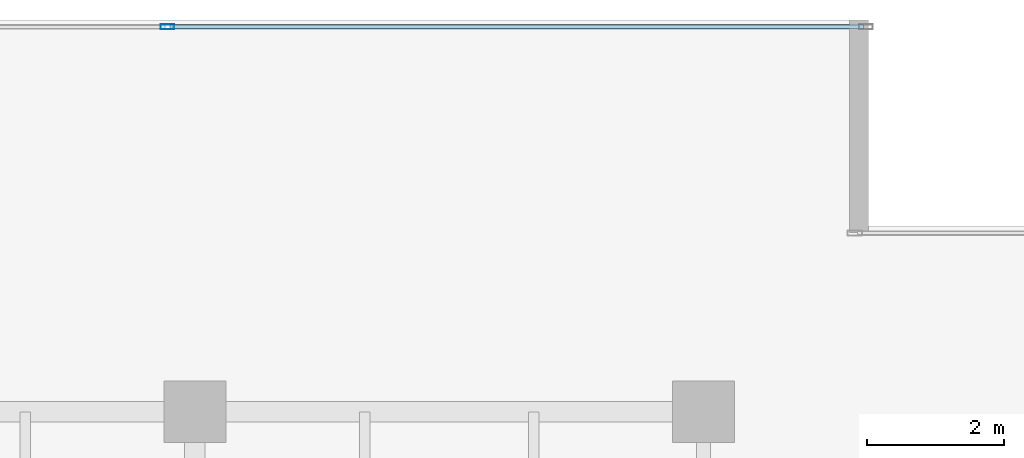
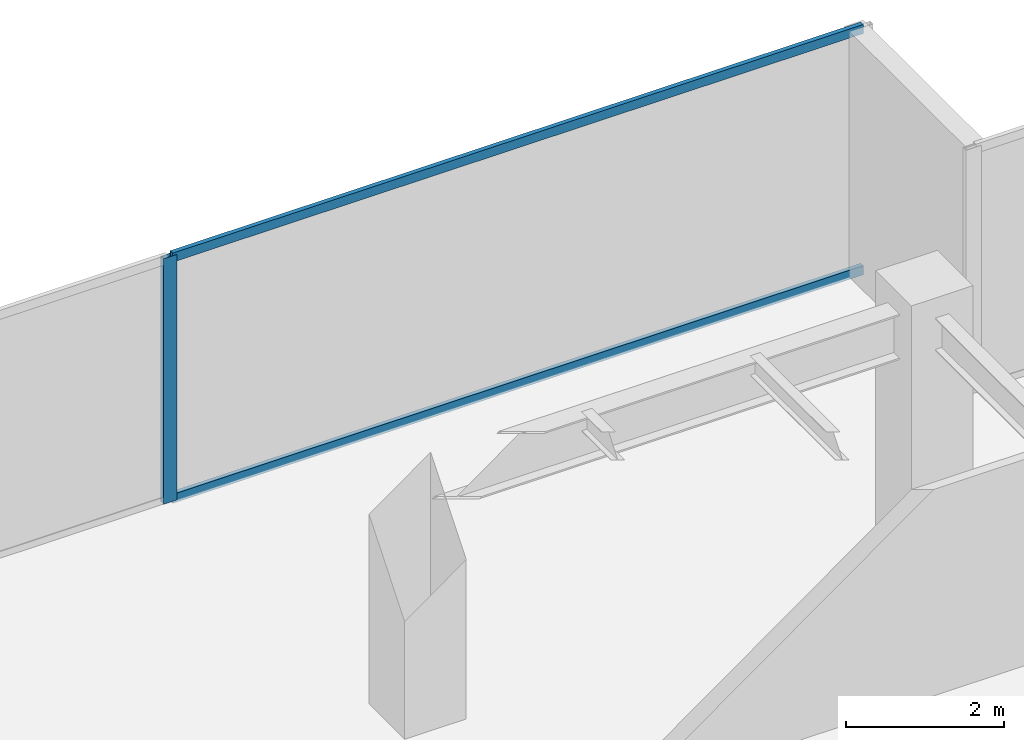
# One storey, part 20 of 30: 3 members, 1 element without a shape of its own.
"""IFC4 building model written with IfcOpenShell, lengths in metres."""

from ifc_helpers import new_model, si_unit, direction, frame, origin, origin_2d, place, context, subcontext, project, spatial, hollow_rectangle, extrude, source, transform, mapped, material, layer, layer_set, material_profile, profile_set, type_object, type_shapes, element, aggregate, save


model = new_model("IFC4")

# Units and contexts
model_context = context("Model", 3, precision=1e-05, world=origin(), true_north=direction((0.0, 1.0)))
body_context = subcontext(model_context, "Body", "Model", "MODEL_VIEW")
ifc_project = project(units=[si_unit("LENGTHUNIT", "METRE"), si_unit("AREAUNIT", "SQUARE_METRE"), si_unit("VOLUMEUNIT", "CUBIC_METRE"), si_unit("PLANEANGLEUNIT", "RADIAN"), si_unit("MASSUNIT", "GRAM", prefix="KILO")], contexts=[model_context])

# Site, building, storey
site_placement = place(None, origin())
site = spatial("IfcSite", under=ifc_project, at=site_placement, CompositionType="ELEMENT")
building_placement = place(site_placement, origin())
building = spatial("IfcBuilding", under=site, at=building_placement, Name="Haelvirn Gate Laboratories", CompositionType="ELEMENT")
storey_placement = place(building_placement, frame((0.0, 0.0, 187.10009765625)))
storey = spatial("IfcBuildingStorey", under=building, at=storey_placement, Name="L45", CompositionType="ELEMENT", Elevation=187.10009765625)

# Curtain wall, members
ifc_material_1 = material(Name="Anodised bronze unitised aluminium & triple low-E glass", Category="aluminium")
ifc_layer = layer(ifc_material_1, 0.179931640625, Name="CW-SYS-3")
ifc_layer_set = layer_set([ifc_layer], Name="Anodised bronze unitised aluminium & triple low-E glass")
curtain_wall_type = type_object("IfcCurtainWallType", Name="CW-SYS-3", PredefinedType="NOTDEFINED", material=ifc_layer_set)
curtain_wall_placement = place(storey_placement, origin())
curtain_wall = element("IfcCurtainWall", 1, at=curtain_wall_placement, inside=storey, type_object=curtain_wall_type, Name="L45 Unitised Curtain Wall CW-L45-P0-E10-1", PredefinedType="NOTDEFINED")
ifc_material_2 = material(Name="Extruded aluminium 6063-T6 (anodised bronze)", Category="aluminium")
ifc_material_profile_1 = material_profile(ifc_material_2, hollow_rectangle(XDim=0.06494140625, YDim=0.139892578125, WallThickness=0.00390625, at=origin_2d()), Name="CWT-140x65x4")
ifc_profile_set_1 = profile_set([ifc_material_profile_1], Name="Extruded aluminium 6063-T6 (anodised bronze)")
member_type_1 = type_object("IfcMemberType", Name="CWT-T140", PredefinedType="USERDEFINED", material=ifc_profile_set_1)
shared_shape_1 = source(origin(), body_context, "Body", "SweptSolid", [
    extrude(hollow_rectangle(XDim=0.06494140625, YDim=0.139892578125, WallThickness=0.00390625, at=origin_2d()), origin(), (0.0, 0.0, 1.0), 10.087646484375),
])
type_shapes(member_type_1, [shared_shape_1])
member_1_placement = place(storey_placement, frame((59.637451171875, 47.199951171875, 0.032470703125), z_axis=(1.0, 0.0, 0.0), x_axis=(0.0, 1.0, 0.0)))
member_1 = element("IfcMember", 2, at=member_1_placement, type_object=member_type_1, Name="CW3 transom 2.1", ObjectType="TRANSOM", PredefinedType="USERDEFINED", context=body_context, shape_type="MappedRepresentation", body=[
    mapped(shared_shape_1, transform((0.0, 0.0, 0.0), scale=1.0)),
])
member_2_placement = place(storey_placement, frame((59.637451171875, 47.199951171875, 3.75732421875), z_axis=(1.0, 0.0, 0.0), x_axis=(0.0, 1.0, 0.0)))
member_2 = element("IfcMember", 3, at=member_2_placement, type_object=member_type_1, Name="CW3 transom 2.2", ObjectType="TRANSOM", PredefinedType="USERDEFINED", context=body_context, shape_type="MappedRepresentation", body=[
    mapped(shared_shape_1, transform((0.0, 0.0, 0.0), scale=1.0)),
])
ifc_material_profile_2 = material_profile(ifc_material_2, hollow_rectangle(XDim=0.074951171875, YDim=0.199951171875, WallThickness=0.0048828125, at=origin_2d()), Name="CWM-200x75x5")
ifc_profile_set_2 = profile_set([ifc_material_profile_2], Name="Extruded aluminium 6063-T6 (anodised bronze)")
member_type_2 = type_object("IfcMemberType", Name="CWM-T200", PredefinedType="MULLION", material=ifc_profile_set_2)
shared_shape_2 = source(origin(), body_context, "Body", "SweptSolid", [
    extrude(hollow_rectangle(XDim=0.074951171875, YDim=0.199951171875, WallThickness=0.0048828125, at=origin_2d()), origin(), (0.0, 0.0, 1.0), 3.789794921875),
])
type_shapes(member_type_2, [shared_shape_2])
member_3_placement = place(storey_placement, frame((59.60009765625, 47.199951171875, 0.0), z_axis=(0.0, 0.0, 1.0), x_axis=(0.0, 1.0, 0.0)))
member_3 = element("IfcMember", 4, at=member_3_placement, type_object=member_type_2, Name="CW3 mullion 2", PredefinedType="MULLION", context=body_context, shape_type="MappedRepresentation", body=[
    mapped(shared_shape_2, transform((0.0, 0.0, 0.0), scale=1.0)),
])
aggregate(curtain_wall, [member_3, member_1, member_2])

save(model, "model.ifc")
